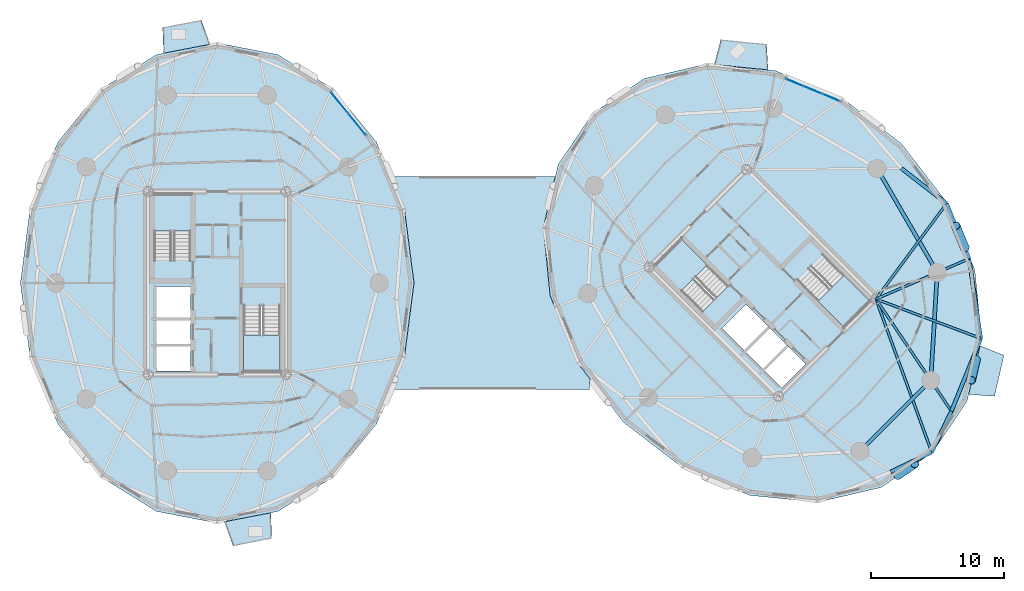
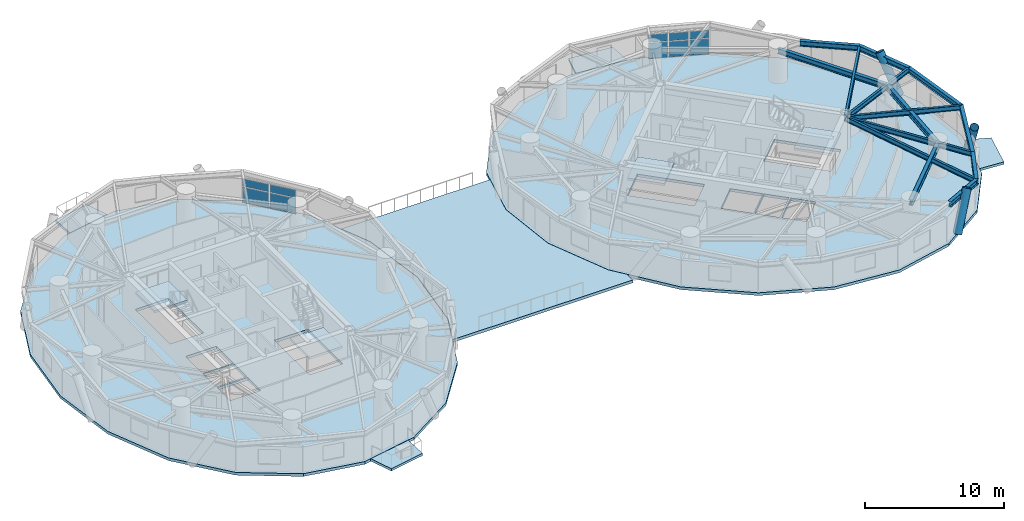
# One storey, part 8 of 19: 14 beams, 11 slabs, 10 plates, 3 members, 6 elements without a shape of their own.
"""IFC4 building model written with IfcOpenShell, lengths in metres."""

import ifcopenshell
import ifcopenshell.guid

model = None  # the IFC model being written
_history = None  # IfcOwnerHistory: only IFC2X3 demands one
_inside = {}  # id of a spatial element -> (the spatial element, [elements in it])
_under = {}  # id of a project, library or spatial element -> (it, [spatial elements below it])
_declared = {}  # id of a project -> (the project, [libraries it declares])
_typed = {}  # id of a type object -> (the type object, [elements of that type])
_made_of = {}  # id of a material, layer set ... -> (it, [elements and type objects made of it])


def new_model(schema):
    """Start an empty IFC model of exactly this schema.

    Asked for "IFC4X3", IfcOpenShell would pick the latest addendum, in which some entities
    have other attributes; the version numbers below select the first issue.
    IFC2X3 requires an IfcOwnerHistory on every rooted entity: one is made here for all.
    """
    global model, _history
    if schema == "IFC4X3":
        model = ifcopenshell.file(schema_version=(4, 3, 0, 0))
    else:
        model = ifcopenshell.file(schema=schema)
    _inside.clear()
    _under.clear()
    _declared.clear()
    _typed.clear()
    _made_of.clear()
    _history = None
    if model.schema == "IFC2X3":
        org = make("IfcOrganization", Name="unknown")
        user = make(
            "IfcPersonAndOrganization",
            ThePerson=make("IfcPerson", FamilyName="unknown"),
            TheOrganization=org,
        )
        app = make(
            "IfcApplication",
            ApplicationDeveloper=org,
            Version="unknown",
            ApplicationFullName="unknown",
            ApplicationIdentifier="unknown",
        )
        _history = make(
            "IfcOwnerHistory",
            OwningUser=user,
            OwningApplication=app,
            ChangeAction="ADDED",
            CreationDate=0,
        )
    return model


def make(cls, **values):
    """One entity of the class cls with the attributes given. An attribute that is None is left unset."""
    return model.create_entity(
        cls, **{name: value for name, value in values.items() if value is not None}
    )


def rooted(cls, **values):
    """An entity with a GlobalId (a new one), such as an element, a storey or a relation."""
    return make(cls, GlobalId=ifcopenshell.guid.new(), OwnerHistory=_history, **values)


def si_unit(unit_type, name, prefix=None):
    """IfcSIUnit, for example si_unit("LENGTHUNIT", "METRE", prefix="MILLI")."""
    return make("IfcSIUnit", UnitType=unit_type, Prefix=prefix, Name=name)


def assignment(units):
    """IfcUnitAssignment: the units of a project."""
    return None if units is None else make("IfcUnitAssignment", Units=units)


def point(xyz):
    """IfcCartesianPoint."""
    return None if xyz is None else make("IfcCartesianPoint", Coordinates=xyz)


def direction(xyz):
    """IfcDirection."""
    return None if xyz is None else make("IfcDirection", DirectionRatios=xyz)


def frame(location, z_axis=None, x_axis=None):
    """IfcAxis2Placement3D, a coordinate frame: its origin and axes. An axis left out is left unset."""
    return make(
        "IfcAxis2Placement3D",
        Location=point(location),
        Axis=direction(z_axis),
        RefDirection=direction(x_axis),
    )


def frame_2d(location, x_axis=None):
    """IfcAxis2Placement2D, a coordinate frame in the plane: its origin and x axis."""
    return make(
        "IfcAxis2Placement2D", Location=point(location), RefDirection=direction(x_axis)
    )


def origin():
    """The frame at (0, 0, 0) with its axes left unset."""
    return frame((0.0, 0.0, 0.0))


def origin_2d():
    """The frame at (0, 0) in the plane with its x axis left unset."""
    return frame_2d((0.0, 0.0))


def place(relative_to, where):
    """IfcLocalPlacement: puts the frame where relative to a parent placement (None: the world)."""
    return make(
        "IfcLocalPlacement", PlacementRelTo=relative_to, RelativePlacement=where
    )


def context(
    kind, dimensions, precision=None, world=None, true_north=None, identifier=None
):
    """IfcGeometricRepresentationContext, for example the 3D "Model" context."""
    return make(
        "IfcGeometricRepresentationContext",
        ContextIdentifier=identifier,
        ContextType=kind,
        CoordinateSpaceDimension=dimensions,
        Precision=precision,
        WorldCoordinateSystem=world,
        TrueNorth=true_north,
    )


def subcontext(parent, identifier, kind, view, scale=None):
    """IfcGeometricRepresentationSubContext, for example "Body" below "Model"."""
    return make(
        "IfcGeometricRepresentationSubContext",
        ContextIdentifier=identifier,
        ContextType=kind,
        ParentContext=parent,
        TargetScale=scale,
        TargetView=view,
    )


def project(units=None, contexts=None):
    """IfcProject with its units and contexts."""
    return rooted(
        "IfcProject",
        Name="project",
        RepresentationContexts=contexts,
        UnitsInContext=assignment(units),
    )


def spatial(cls, under=None, at=None, **own):
    """A site, building, storey or space (cls), placed at a placement, below another one or the project."""
    s = rooted(cls, ObjectPlacement=at, **own)
    if under is not None:
        _under.setdefault(under.id(), (under, []))[1].append(s)
    return s


def polyline(points):
    """IfcPolyline through the points."""
    return make("IfcPolyline", Points=[point(p) for p in points])


def profile(cls, at=None, kind="AREA", **sizes):
    """A parametric profile (cls). Its sizes go by their IFC names, for example OverallWidth=200.0."""
    return make(cls, ProfileType=kind, Position=at, **sizes)


def rectangle(**sizes):
    """IfcRectangleProfileDef."""
    return profile("IfcRectangleProfileDef", **sizes)


def hollow_circle(**sizes):
    """IfcCircleHollowProfileDef."""
    return profile("IfcCircleHollowProfileDef", **sizes)


def i_section(**sizes):
    """IfcIShapeProfileDef."""
    return profile("IfcIShapeProfileDef", **sizes)


def outline(outer, holes=None, kind="AREA"):
    """IfcArbitraryClosedProfileDef: a profile drawn as a closed curve; with holes, ...WithVoids."""
    if holes is None:
        return make("IfcArbitraryClosedProfileDef", ProfileType=kind, OuterCurve=outer)
    return make(
        "IfcArbitraryProfileDefWithVoids",
        ProfileType=kind,
        OuterCurve=outer,
        InnerCurves=holes,
    )


def extrude(swept, where, along, depth):
    """IfcExtrudedAreaSolid: the profile swept, set in the frame where, extruded along a direction by depth."""
    return make(
        "IfcExtrudedAreaSolid",
        SweptArea=swept,
        Position=where,
        ExtrudedDirection=direction(along),
        Depth=depth,
    )


def shape(context_of_items, identifier, shape_type, items):
    """IfcShapeRepresentation: the items that make up one representation, for example the "Body"."""
    return make(
        "IfcShapeRepresentation",
        ContextOfItems=context_of_items,
        RepresentationIdentifier=identifier,
        RepresentationType=shape_type,
        Items=items,
    )


def source(mapping_origin, context_of_items, identifier, shape_type, items):
    """IfcRepresentationMap: a shape defined once, which mapped items show again and again."""
    return make(
        "IfcRepresentationMap",
        MappingOrigin=mapping_origin,
        MappedRepresentation=shape(context_of_items, identifier, shape_type, items),
    )


def transform(
    local_origin,
    x_axis=None,
    y_axis=None,
    z_axis=None,
    scale=None,
    scale2=None,
    scale3=None,
    uniform=True,
):
    """IfcCartesianTransformationOperator3D, or its non-uniform kind. x_axis, y_axis, z_axis: its Axis1, 2, 3."""
    if uniform:
        return make(
            "IfcCartesianTransformationOperator3D",
            Axis1=direction(x_axis),
            Axis2=direction(y_axis),
            LocalOrigin=point(local_origin),
            Scale=scale,
            Axis3=direction(z_axis),
        )
    return make(
        "IfcCartesianTransformationOperator3DnonUniform",
        Axis1=direction(x_axis),
        Axis2=direction(y_axis),
        LocalOrigin=point(local_origin),
        Scale=scale,
        Axis3=direction(z_axis),
        Scale2=scale2,
        Scale3=scale3,
    )


def mapped(mapping_source, mapping_target):
    """IfcMappedItem: shows the shape of a source again, moved by a transform."""
    return make(
        "IfcMappedItem", MappingSource=mapping_source, MappingTarget=mapping_target
    )


def material(Name=None, Category=None):
    """IfcMaterial."""
    return make("IfcMaterial", Name=Name, Category=Category)


def layer(
    of_material, thickness, ventilated=None, Name=None, Category=None, Priority=None
):
    """IfcMaterialLayer: one layer of a wall or slab, of a material (None: an air gap)."""
    return make(
        "IfcMaterialLayer",
        Material=of_material,
        LayerThickness=thickness,
        IsVentilated=ventilated,
        Name=Name,
        Category=Category,
        Priority=Priority,
    )


def layer_set(layers, Name=None):
    """IfcMaterialLayerSet."""
    return make("IfcMaterialLayerSet", MaterialLayers=layers, LayerSetName=Name)


def material_profile(
    of_material, cross_section, Name=None, Category=None, Priority=None
):
    """IfcMaterialProfile: a cross section and its material."""
    return make(
        "IfcMaterialProfile",
        Name=Name,
        Material=of_material,
        Profile=cross_section,
        Priority=Priority,
        Category=Category,
    )


def profile_set(profiles, Name=None, composite=None):
    """IfcMaterialProfileSet."""
    return make(
        "IfcMaterialProfileSet",
        Name=Name,
        MaterialProfiles=profiles,
        CompositeProfile=composite,
    )


def made_of(thing, what):
    """Note that an element or type object is made of a material, layer set ...; save() writes the relation."""
    if what is not None:
        _made_of.setdefault(what.id(), (what, []))[1].append(thing)
    return thing


def type_object(cls, material=None, **own):
    """A type object (cls), such as IfcWallType, which elements share."""
    return made_of(rooted(cls, **own), material)


def element(
    cls,
    number,
    at=None,
    inside=None,
    cuts=None,
    type_object=None,
    material=None,
    context=None,
    identifier="Body",
    shape_type=None,
    held_by="IfcProductDefinitionShape",
    body=None,
    shapes=None,
    **own,
):
    """One element of the class cls, such as IfcWall. Its Tag is "e" and its number.

    at: its placement. inside: the storey or other place that contains it. cuts: it is an
    opening in that element (IfcRelVoidsElement). A single representation is given by context,
    identifier, shape_type and body (its items); several are given by shapes. held_by: the class
    of the entity that holds the representations. save() writes the other relations.
    """
    e = rooted(cls, Tag="e%d" % number, ObjectPlacement=at, **own)
    if body is not None:
        shapes = [shape(context, identifier, shape_type, body)]
    if shapes is not None:
        e.Representation = make(held_by, Representations=shapes)
    if inside is not None:
        _inside.setdefault(inside.id(), (inside, []))[1].append(e)
    if cuts is not None:
        rooted(
            "IfcRelVoidsElement", RelatingBuildingElement=cuts, RelatedOpeningElement=e
        )
    if type_object is not None:
        _typed.setdefault(type_object.id(), (type_object, []))[1].append(e)
    return made_of(e, material)


def aggregate(whole, parts):
    """IfcRelAggregates: a whole, such as a stair, and the parts it consists of."""
    return rooted("IfcRelAggregates", RelatingObject=whole, RelatedObjects=parts)


def save(model, path):
    """Write the relations noted so far, then the file.

    IfcRelAggregates (storeys below a building ...), IfcRelContainedInSpatialStructure (elements
    in a storey), IfcRelDefinesByType, IfcRelAssociatesMaterial and IfcRelDeclares: one each for
    every whole, place, type object, material and project.
    """
    for whole, parts in _under.values():
        aggregate(whole, parts)
    for where, things in _inside.values():
        rooted(
            "IfcRelContainedInSpatialStructure",
            RelatedElements=things,
            RelatingStructure=where,
        )
    for kind, things in _typed.values():
        rooted("IfcRelDefinesByType", RelatedObjects=things, RelatingType=kind)
    for what, things in _made_of.values():
        rooted("IfcRelAssociatesMaterial", RelatedObjects=things, RelatingMaterial=what)
    for by, libraries in _declared.values():
        rooted("IfcRelDeclares", RelatingContext=by, RelatedDefinitions=libraries)
    model.write(path)


model = new_model("IFC4")

# Units and contexts
model_context = context("Model", 3, precision=1e-05, world=origin(), true_north=direction((0.0, 1.0)))
body_context = subcontext(model_context, "Body", "Model", "MODEL_VIEW")
ifc_project = project(units=[si_unit("LENGTHUNIT", "METRE"), si_unit("AREAUNIT", "SQUARE_METRE"), si_unit("VOLUMEUNIT", "CUBIC_METRE"), si_unit("PLANEANGLEUNIT", "RADIAN"), si_unit("MASSUNIT", "GRAM", prefix="KILO")], contexts=[model_context])

# Site, building, storey
site_placement = place(None, origin())
site = spatial("IfcSite", under=ifc_project, at=site_placement, CompositionType="ELEMENT")
building_placement = place(site_placement, origin())
building = spatial("IfcBuilding", under=site, at=building_placement, Name="Cununo Teusaquillo Station Towers", CompositionType="ELEMENT")
storey_placement = place(building_placement, frame((0.0, 0.0, 144.0400390625)))
storey = spatial("IfcBuildingStorey", under=building, at=storey_placement, Name="L45", CompositionType="ELEMENT", Elevation=144.0400390625)

# Beams
ifc_material_1 = material(Name="Steel ASTM A572 Grade 50", Category="steel")
ifc_material_profile_1 = material_profile(ifc_material_1, i_section(OverallWidth=0.180908203125, OverallDepth=0.4169921875, WebThickness=0.010986328125, FlangeThickness=0.018310546875, FilletRadius=0.012939453125, at=origin_2d()), Name="W16X57")
ifc_profile_set_1 = profile_set([ifc_material_profile_1], Name="Steel ASTM A572 Grade 50")
beam_type_1 = type_object("IfcBeamType", Name="BM-JOIST-1", PredefinedType="JOIST", material=ifc_profile_set_1)
beam_1_placement = place(storey_placement, frame((66.024169921875, 23.29443359375, 2.511474609375), z_axis=(0.34241791496, -0.939547748395, 0.0), x_axis=(0.939547748395, 0.34241791496, 0.0)))
element("IfcBeam", 1, at=beam_1_placement, inside=storey, type_object=beam_type_1, Name="L45 Tower B Radial Spandrel Joist V15", PredefinedType="JOIST", context=body_context, shape_type="SweptSolid", body=[
    extrude(i_section(OverallWidth=0.180908203125, OverallDepth=0.4169921875, WebThickness=0.010986328125, FlangeThickness=0.018310546875, FilletRadius=0.012939453125, at=origin_2d()), origin(), (0.0, 0.0, 1.0), 12.25634765625),
])
beam_2_placement = place(storey_placement, frame((66.024169921875, 23.29443359375, 2.511474609375), z_axis=(0.936244635323, -0.351348805076, 0.0), x_axis=(0.351348805076, 0.936244635323, 0.0)))
element("IfcBeam", 2, at=beam_2_placement, inside=storey, type_object=beam_type_1, Name="L45 Tower B Radial Spandrel Joist V17", PredefinedType="JOIST", context=body_context, shape_type="SweptSolid", body=[
    extrude(i_section(OverallWidth=0.180908203125, OverallDepth=0.4169921875, WebThickness=0.010986328125, FlangeThickness=0.018310546875, FilletRadius=0.012939453125, at=origin_2d()), origin(), (0.0, 0.0, 1.0), 8.4287109375),
])
beam_3_placement = place(storey_placement, frame((66.024169921875, 23.29443359375, 2.511474609375), z_axis=(0.594834179272, 0.803848430471, 0.0), x_axis=(-0.803848430471, 0.594834179272, 0.0)))
element("IfcBeam", 3, at=beam_3_placement, inside=storey, type_object=beam_type_1, Name="L45 Tower B Radial Spandrel Joist V19", PredefinedType="JOIST", context=body_context, shape_type="SweptSolid", body=[
    extrude(i_section(OverallWidth=0.180908203125, OverallDepth=0.4169921875, WebThickness=0.010986328125, FlangeThickness=0.018310546875, FilletRadius=0.012939453125, at=origin_2d()), origin(), (0.0, 0.0, 1.0), 8.936767578125),
])
ifc_material_2 = material(Name="Steel ASTM A572 Grade 50", Category="steel")
ifc_material_profile_2 = material_profile(ifc_material_2, i_section(OverallWidth=0.180908203125, OverallDepth=0.4169921875, WebThickness=0.010986328125, FlangeThickness=0.018310546875, FilletRadius=0.012939453125, at=origin_2d()), Name="W16X57")
ifc_profile_set_2 = profile_set([ifc_material_profile_2], Name="Steel ASTM A572 Grade 50")
beam_type_2 = type_object("IfcBeamType", Name="BM-RAD-G2", PredefinedType="BEAM", material=ifc_profile_set_2)
beam_4_placement = place(storey_placement, frame((66.024169921875, 23.29443359375, 2.511474609375), z_axis=(0.558570687133, -0.829456923219, 0.0), x_axis=(0.829456923219, 0.558570687133, 0.0)))
element("IfcBeam", 4, at=beam_4_placement, inside=storey, type_object=beam_type_2, Name="L45 Tower B Continuous Overhanging Radial Girder 09", PredefinedType="BEAM", context=body_context, shape_type="SweptSolid", body=[
    extrude(i_section(OverallWidth=0.180908203125, OverallDepth=0.4169921875, WebThickness=0.010986328125, FlangeThickness=0.018310546875, FilletRadius=0.012939453125, at=origin_2d()), origin(), (0.0, 0.0, 1.0), 10.1591796875),
])
beam_5_placement = place(storey_placement, frame((66.024169921875, 23.29443359375, 2.511474609375), z_axis=(0.917655964072, 0.397375806515, 0.0), x_axis=(-0.397375806515, 0.917655964072, 0.0)))
element("IfcBeam", 5, at=beam_5_placement, inside=storey, type_object=beam_type_2, Name="L45 Tower B Continuous Overhanging Radial Girder 10", PredefinedType="BEAM", context=body_context, shape_type="SweptSolid", body=[
    extrude(i_section(OverallWidth=0.180908203125, OverallDepth=0.4169921875, WebThickness=0.010986328125, FlangeThickness=0.018310546875, FilletRadius=0.012939453125, at=origin_2d()), origin(), (0.0, 0.0, 1.0), 7.6318359375),
])
ifc_material_3 = material(Name="Steel ASTM A572 Grade 50", Category="steel")
ifc_material_profile_3 = material_profile(ifc_material_3, i_section(OverallWidth=0.280029296875, OverallDepth=0.462890625, WebThickness=0.0107421875, FlangeThickness=0.017333984375, FilletRadius=0.013916015625, at=origin_2d()), Name="W18X76")
ifc_profile_set_3 = profile_set([ifc_material_profile_3], Name="Steel ASTM A572 Grade 50")
beam_type_3 = type_object("IfcBeamType", Name="BM-RING-Z2", PredefinedType="SPANDREL", material=ifc_profile_set_3)
beam_6_placement = place(storey_placement, frame((64.826904296875, 11.853759765625, 2.488525390625), z_axis=(0.707106781187, 0.707106781187, 0.0), x_axis=(-0.707106781187, 0.707106781187, 0.0)))
element("IfcBeam", 6, at=beam_6_placement, inside=storey, type_object=beam_type_3, Name="L45 Tower B Structural Column Ring Girder 08", PredefinedType="SPANDREL", context=body_context, shape_type="SweptSolid", body=[
    extrude(i_section(OverallWidth=0.280029296875, OverallDepth=0.462890625, WebThickness=0.0107421875, FlangeThickness=0.017333984375, FilletRadius=0.013916015625, at=origin_2d()), origin(), (0.0, 0.0, 1.0), 7.522705078125),
])
beam_7_placement = place(storey_placement, frame((70.146240234375, 17.173095703125, 2.488525390625), z_axis=(0.06012979176, 0.998190567048, 0.0), x_axis=(-0.998190567048, 0.06012979176, 0.0)))
element("IfcBeam", 7, at=beam_7_placement, inside=storey, type_object=beam_type_3, Name="L45 Tower B Structural Column Ring Girder 09", PredefinedType="SPANDREL", context=body_context, shape_type="SweptSolid", body=[
    extrude(i_section(OverallWidth=0.280029296875, OverallDepth=0.462890625, WebThickness=0.0107421875, FlangeThickness=0.017333984375, FilletRadius=0.013916015625, at=origin_2d()), origin(), (0.0, 0.0, 1.0), 8.132568359375),
])
beam_8_placement = place(storey_placement, frame((70.63525390625, 25.291015625, 2.488525390625), z_axis=(-0.501311121078, 0.865267103202, 0.0), x_axis=(-0.865267103202, -0.501311121078, 0.0)))
element("IfcBeam", 8, at=beam_8_placement, inside=storey, type_object=beam_type_3, Name="L45 Tower B Structural Column Ring Girder 10", PredefinedType="SPANDREL", context=body_context, shape_type="SweptSolid", body=[
    extrude(i_section(OverallWidth=0.280029296875, OverallDepth=0.462890625, WebThickness=0.0107421875, FlangeThickness=0.017333984375, FilletRadius=0.013916015625, at=origin_2d()), origin(), (0.0, 0.0, 1.0), 9.032958984375),
])
for number, where, z_axis, x_axis, name in (
    (9, (67.132080078125, 10.30126953125, 2.488525390625), (0.902077503555, 0.431574069634, 0.0), (-0.431574069634, 0.902077503555, 0.0), "L45 Tower B Spandrel Ring Beam 15"),
    (10, (70.220947265625, 11.779052734375, 2.488525390625), (0.431574069634, 0.902077503555, 0.0), (-0.902077503555, 0.431574069634, 0.0), "L45 Tower B Spandrel Ring Beam 16"),
):
    element("IfcBeam", number, at=place(storey_placement, frame(where, z_axis=z_axis, x_axis=x_axis)), inside=storey, type_object=beam_type_3, Name=name, PredefinedType="SPANDREL", context=body_context, shape_type="SweptSolid", body=[
        extrude(i_section(OverallWidth=0.280029296875, OverallDepth=0.462890625, WebThickness=0.0107421875, FlangeThickness=0.017333984375, FilletRadius=0.013916015625, at=origin_2d()), origin(), (0.0, 0.0, 1.0), 3.424072265625),
    ])
beam_9_placement = place(storey_placement, frame((71.69873046875, 14.867919921875, 2.488525390625), z_axis=(0.375882869104, 0.926667183359, 0.0), x_axis=(-0.926667183359, 0.375882869104, 0.0)))
element("IfcBeam", 11, at=beam_9_placement, inside=storey, type_object=beam_type_3, Name="L45 Tower B Spandrel Ring Beam 17", PredefinedType="SPANDREL", context=body_context, shape_type="SweptSolid", body=[
    extrude(i_section(OverallWidth=0.280029296875, OverallDepth=0.462890625, WebThickness=0.0107421875, FlangeThickness=0.017333984375, FilletRadius=0.013916015625, at=origin_2d()), origin(), (0.0, 0.0, 1.0), 5.8974609375),
])
beam_10_placement = place(storey_placement, frame((73.91552734375, 20.3330078125, 2.488525390625), z_axis=(-0.146535519435, 0.989205409176, 0.0), x_axis=(-0.989205409176, -0.146535519435, 0.0)))
element("IfcBeam", 12, at=beam_10_placement, inside=storey, type_object=beam_type_3, Name="L45 Tower B Spandrel Ring Beam 18", PredefinedType="SPANDREL", context=body_context, shape_type="SweptSolid", body=[
    extrude(i_section(OverallWidth=0.280029296875, OverallDepth=0.462890625, WebThickness=0.0107421875, FlangeThickness=0.017333984375, FilletRadius=0.013916015625, at=origin_2d()), origin(), (0.0, 0.0, 1.0), 6.0595703125),
])
beam_11_placement = place(storey_placement, frame((73.027587890625, 26.3271484375, 2.488525390625), z_axis=(-0.376588942192, 0.926380466449, 0.0), x_axis=(-0.926380466449, -0.376588942192, 0.0)))
element("IfcBeam", 13, at=beam_11_placement, inside=storey, type_object=beam_type_3, Name="L45 Tower B Spandrel Ring Beam 19", PredefinedType="SPANDREL", context=body_context, shape_type="SweptSolid", body=[
    extrude(i_section(OverallWidth=0.280029296875, OverallDepth=0.462890625, WebThickness=0.0107421875, FlangeThickness=0.017333984375, FilletRadius=0.013916015625, at=origin_2d()), origin(), (0.0, 0.0, 1.0), 4.48095703125),
])
beam_12_placement = place(storey_placement, frame((71.340087890625, 30.478271484375, 2.488525390625), z_axis=(-0.789900716386, 0.613234749711, 0.0), x_axis=(-0.613234749711, -0.789900716386, 0.0)))
element("IfcBeam", 14, at=beam_12_placement, inside=storey, type_object=beam_type_3, Name="L45 Tower B Spandrel Ring Beam 20", PredefinedType="SPANDREL", context=body_context, shape_type="SweptSolid", body=[
    extrude(i_section(OverallWidth=0.280029296875, OverallDepth=0.462890625, WebThickness=0.0107421875, FlangeThickness=0.017333984375, FilletRadius=0.013916015625, at=origin_2d()), origin(), (0.0, 0.0, 1.0), 4.3115234375),
])

# Members
ifc_material_4 = material(Name="Steel EN 10025-2 S355J2", Category="steel")
ifc_material_profile_4 = material_profile(ifc_material_4, hollow_circle(Radius=0.330078125, WallThickness=0.02490234375, at=origin_2d()), Name="CHS 660x25")
ifc_profile_set_4 = profile_set([ifc_material_profile_4], Name="Steel EN 10025-2 S355J2")
member_type = type_object("IfcMemberType", Name="MBR-DIAG-Z2", PredefinedType="BRACE", material=ifc_profile_set_4)
member_1_placement = place(storey_placement, frame((67.6591796875, 10.047607421875, -0.14013671875), z_axis=(0.373637702269, 0.25250987083, 0.892543350531), x_axis=(-0.559936520368, 0.828535511103, 0.0)))
element("IfcMember", 15, at=member_1_placement, inside=storey, type_object=member_type, Name="L45 Tower B Folded-Zigzag Diagrid Tube C14", PredefinedType="BRACE", context=body_context, shape_type="SweptSolid", body=[
    extrude(hollow_circle(Radius=0.330078125, WallThickness=0.02490234375, at=origin_2d()), origin(), (0.0, 0.0, 1.0), 3.428466796875),
])
member_2_placement = place(storey_placement, frame((73.5498046875, 18.762451171875, -0.14013671875), z_axis=(-0.105801959215, -0.454052037112, 0.884670951835), x_axis=(0.973909284725, -0.226937667931, 0.0)))
element("IfcMember", 16, at=member_2_placement, inside=storey, type_object=member_type, Name="L45 Tower B Folded-Zigzag Diagrid Tube C16", PredefinedType="BRACE", context=body_context, shape_type="SweptSolid", body=[
    extrude(hollow_circle(Radius=0.330078125, WallThickness=0.02490234375, at=origin_2d()), origin(), (0.0, 0.0, 1.0), 3.458984375),
])
member_3_placement = place(storey_placement, frame((72.7177734375, 27.127685546875, -0.14013671875), z_axis=(-0.193680285082, 0.471121629293, 0.860541897633), x_axis=(-0.924892888936, -0.380227752796, 0.0)))
element("IfcMember", 17, at=member_3_placement, inside=storey, type_object=member_type, Name="L45 Tower B Folded-Zigzag Diagrid Tube C18", PredefinedType="BRACE", context=body_context, shape_type="SweptSolid", body=[
    extrude(hollow_circle(Radius=0.330078125, WallThickness=0.02490234375, at=origin_2d()), origin(), (0.0, 0.0, 1.0), 3.555908203125),
])

# Slabs
ifc_material_5 = material(Name="Concrete C50/60", Category="concrete")
ifc_layer_1 = layer(ifc_material_5, 0.2099609375)
ifc_layer_set_1 = layer_set([ifc_layer_1], Name="Concrete C50/60")
slab_type_1 = type_object("IfcSlabType", Name="SLB-BAL-210", PredefinedType="FLOOR", material=ifc_layer_set_1)
slab_1_placement = place(storey_placement, frame((0.0, 0.0, -0.2099609375)))
element("IfcSlab", 18, at=slab_1_placement, inside=storey, type_object=slab_type_1, Name="L45 Tower A Tree Balcony Slab 1", PredefinedType="FLOOR", context=body_context, shape_type="SweptSolid", body=[
    extrude(outline(polyline([(15.958984375, 42.45068359375), (12.46728515625, 41.77587890625), (12.3984375, 43.712890625), (15.30126953125, 44.27392578125), (15.958984375, 42.45068359375)])), origin(), (0.0, 0.0, 1.0), 0.2099609375),
])
slab_2_placement = place(storey_placement, frame((0.0, 0.0, -0.2099609375)))
element("IfcSlab", 19, at=slab_2_placement, inside=storey, type_object=slab_type_1, Name="L45 Tower A Tree Balcony Slab 2", PredefinedType="FLOOR", context=body_context, shape_type="SweptSolid", body=[
    extrude(outline(polyline([(17.041015625, 6.54931640625), (20.53271484375, 7.22412109375), (20.6015625, 5.287109375), (17.69873046875, 4.72607421875), (17.041015625, 6.54931640625)])), origin(), (0.0, 0.0, 1.0), 0.2099609375),
])
slab_3_placement = place(storey_placement, frame((0.0, 0.0, -0.2099609375)))
element("IfcSlab", 20, at=slab_3_placement, inside=storey, type_object=slab_type_1, Name="L45 Tower B Tree Balcony Slab 1", PredefinedType="FLOOR", context=body_context, shape_type="SweptSolid", body=[
    extrude(outline(polyline([(57.914794921875, 40.52490234375), (53.871337890625, 40.92578125), (54.358642578125, 42.8017578125), (57.80517578125, 42.460205078125), (57.914794921875, 40.52490234375)])), origin(), (0.0, 0.0, 1.0), 0.2099609375),
])
slab_4_placement = place(storey_placement, frame((0.0, 0.0, -0.2099609375)))
element("IfcSlab", 21, at=slab_4_placement, inside=storey, type_object=slab_type_1, Name="L45 Tower B Tree Balcony Slab 2", PredefinedType="FLOOR", context=body_context, shape_type="SweptSolid", body=[
    extrude(outline(polyline([(73.001220703125, 16.128662109375), (73.854736328125, 19.78662109375), (75.651611328125, 19.059326171875), (74.934326171875, 15.985595703125), (73.001220703125, 16.128662109375)])), origin(), (0.0, 0.0, 1.0), 0.2099609375),
])

# Stair, slab
ifc_material_6 = material(Name="Concrete C50/60", Category="concrete")
stair_type = type_object("IfcStairType", Name="ST-TWR-1300", PredefinedType="HALF_TURN_STAIR", material=ifc_material_6)
stair_1_placement = place(storey_placement, origin())
stair_1 = element("IfcStair", 22, at=stair_1_placement, inside=storey, type_object=stair_type, Name="L45 Tower A Protected Core Exit Stair 1", PredefinedType="HALF_TURN_STAIR")
ifc_material_7 = material(Name="Concrete C50/60", Category="concrete")
ifc_layer_2 = layer(ifc_material_7, 0.199951171875)
ifc_layer_set_2 = layer_set([ifc_layer_2], Name="Concrete C50/60")
slab_type_2 = type_object("IfcSlabType", Name="SLB-STAIR-LND", PredefinedType="LANDING", material=ifc_layer_set_2)
slab_5_placement = place(storey_placement, frame((0.0, 0.0, 1.330078125)))
slab_5 = element("IfcSlab", 23, at=slab_5_placement, type_object=slab_type_2, Name="ST-T1-1 landing 1", PredefinedType="LANDING", context=body_context, shape_type="SweptSolid", body=[
    extrude(outline(polyline([(14.52001953125, 28.409912109375), (14.52001953125, 31.159912109375), (11.760009765625, 31.159912109375), (11.760009765625, 28.409912109375), (14.52001953125, 28.409912109375)])), origin(), (0.0, 0.0, 1.0), 0.199951171875),
])
aggregate(stair_1, [slab_5])

stair_2_placement = place(storey_placement, origin())
stair_2 = element("IfcStair", 24, at=stair_2_placement, inside=storey, type_object=stair_type, Name="L45 Tower A Protected Core Exit Stair 2", PredefinedType="HALF_TURN_STAIR")
slab_6_placement = place(storey_placement, frame((0.0, 0.0, 1.330078125)))
slab_6 = element("IfcSlab", 25, at=slab_6_placement, type_object=slab_type_2, Name="ST-T1-2 landing 1", PredefinedType="LANDING", context=body_context, shape_type="SweptSolid", body=[
    extrude(outline(polyline([(18.47998046875, 20.590087890625), (18.47998046875, 17.840087890625), (21.239990234375, 17.840087890625), (21.239990234375, 20.590087890625), (18.47998046875, 20.590087890625)])), origin(), (0.0, 0.0, 1.0), 0.199951171875),
])
aggregate(stair_2, [slab_6])

stair_3_placement = place(storey_placement, origin())
stair_3 = element("IfcStair", 26, at=stair_3_placement, inside=storey, type_object=stair_type, Name="L45 Tower B Protected Core Exit Stair 1", PredefinedType="HALF_TURN_STAIR")
slab_7_placement = place(storey_placement, frame((0.0, 0.0, 1.330078125)))
slab_7 = element("IfcSlab", 27, at=slab_7_placement, type_object=slab_type_2, Name="ST-T2-1 landing 1", PredefinedType="LANDING", context=body_context, shape_type="SweptSolid", body=[
    extrude(outline(polyline([(53.335205078125, 25.86474609375), (51.390625, 27.809326171875), (49.43896484375, 25.857666015625), (51.383544921875, 23.9130859375), (53.335205078125, 25.86474609375)])), origin(), (0.0, 0.0, 1.0), 0.199951171875),
])
aggregate(stair_3, [slab_7])

stair_4_placement = place(storey_placement, origin())
stair_4 = element("IfcStair", 28, at=stair_4_placement, inside=storey, type_object=stair_type, Name="L45 Tower B Protected Core Exit Stair 2", PredefinedType="HALF_TURN_STAIR")
slab_8_placement = place(storey_placement, frame((0.0, 0.0, 1.330078125)))
slab_8 = element("IfcSlab", 29, at=slab_8_placement, type_object=slab_type_2, Name="ST-T2-2 landing 1", PredefinedType="LANDING", context=body_context, shape_type="SweptSolid", body=[
    extrude(outline(polyline([(61.664794921875, 23.13525390625), (63.609375, 21.190673828125), (65.56103515625, 23.142333984375), (63.616455078125, 25.0869140625), (61.664794921875, 23.13525390625)])), origin(), (0.0, 0.0, 1.0), 0.199951171875),
])
aggregate(stair_4, [slab_8])

# Slabs
ifc_material_8 = material(Name="Concrete C50/60", Category="concrete")
ifc_layer_3 = layer(ifc_material_8, 0.25)
ifc_layer_set_3 = layer_set([ifc_layer_3], Name="Concrete C50/60")
slab_type_3 = type_object("IfcSlabType", Name="SLB-TERR-250", PredefinedType="ROOF", material=ifc_layer_set_3)
slab_9_placement = place(storey_placement, frame((0.0, 0.0, -0.25)))
element("IfcSlab", 30, at=slab_9_placement, inside=storey, type_object=slab_type_3, Name="L45 Mid-Bridge Observation Roof Terrace Slab", PredefinedType="ROOF", context=body_context, shape_type="SweptSolid", body=[
    extrude(outline(polyline([(44.5, 16.5), (29.564697265625, 16.5), (30.575439453125, 18.92041015625), (30.57568359375, 18.920654296875), (30.57568359375, 18.921142578125), (30.575927734375, 18.921630859375), (31.300048828125, 24.49951171875), (31.300048828125, 24.499755859375), (31.300048828125, 24.500244140625), (31.300048828125, 24.50048828125), (30.575927734375, 30.078369140625), (30.57568359375, 30.078857421875), (30.57568359375, 30.079345703125), (30.575439453125, 30.07958984375), (29.564697265625, 32.5), (41.912109375, 32.5), (41.02001953125, 28.677490234375), (41.02001953125, 28.677001953125), (41.02001953125, 28.676513671875), (41.02001953125, 28.676025390625), (41.529296875, 23.537841796875), (41.529296875, 23.537353515625), (41.529541015625, 23.537109375), (41.52978515625, 23.53662109375), (43.601806640625, 18.49267578125), (43.601806640625, 18.4921875), (43.60205078125, 18.49169921875), (43.602294921875, 18.491455078125), (44.5, 17.325927734375), (44.5, 16.5)])), origin(), (0.0, 0.0, 1.0), 0.25),
])
ifc_material_9 = material(Name="Concrete C40/50", Category="concrete")
ifc_layer_4 = layer(ifc_material_9, 0.239990234375)
ifc_layer_set_4 = layer_set([ifc_layer_4], Name="Concrete C40/50")
slab_type_4 = type_object("IfcSlabType", Name="SLB-Z2-240", PredefinedType="FLOOR", material=ifc_layer_set_4)
slab_10_placement = place(storey_placement, frame((0.0, 0.0, -0.239990234375)))
element("IfcSlab", 31, at=slab_10_placement, inside=storey, type_object=slab_type_4, Name="L45 Tower A Floor Slab", PredefinedType="FLOOR", context=body_context, shape_type="SweptSolid", body=[
    extrude(outline(polyline([(31.294921875, 24.5), (30.57080078125, 30.077880859375), (28.469482421875, 35.109619140625), (25.1962890625, 39.102783203125), (21.072021484375, 41.66650390625), (16.5, 42.550048828125), (11.927978515625, 41.66650390625), (7.8037109375, 39.102783203125), (4.530517578125, 35.109619140625), (2.42919921875, 30.077880859375), (1.705078125, 24.5), (2.42919921875, 18.922119140625), (4.530517578125, 13.890380859375), (7.8037109375, 9.897216796875), (11.927978515625, 7.33349609375), (16.5, 6.449951171875), (21.072021484375, 7.33349609375), (25.1962890625, 9.897216796875), (28.469482421875, 13.890380859375), (30.57080078125, 18.922119140625), (31.294921875, 24.5)]), holes=[polyline([(14.52001953125, 26.176025390625), (14.52001953125, 31.159912109375), (11.760009765625, 31.159912109375), (11.760009765625, 26.176025390625), (14.52001953125, 26.176025390625)]), polyline([(18.47998046875, 22.823974609375), (18.47998046875, 17.840087890625), (21.239990234375, 17.840087890625), (21.239990234375, 22.823974609375), (18.47998046875, 22.823974609375)]), polyline([(11.949951171875, 21.85009765625), (14.47998046875, 21.85009765625), (14.47998046875, 24.25), (11.949951171875, 24.25), (11.949951171875, 21.85009765625)]), polyline([(11.949951171875, 17.89990234375), (14.47998046875, 17.89990234375), (14.47998046875, 19.75), (11.949951171875, 19.75), (11.949951171875, 17.89990234375)]), polyline([(11.949951171875, 19.89990234375), (14.47998046875, 19.89990234375), (14.47998046875, 21.75), (11.949951171875, 21.75), (11.949951171875, 19.89990234375)])]), origin(), (0.0, 0.0, 1.0), 0.239990234375),
])
slab_11_placement = place(storey_placement, frame((0.0, 0.0, -0.239990234375)))
element("IfcSlab", 32, at=slab_11_placement, inside=storey, type_object=slab_type_4, Name="L45 Tower B Floor Slab", PredefinedType="FLOOR", context=body_context, shape_type="SweptSolid", body=[
    extrude(outline(polyline([(67.961669921875, 34.961669921875), (63.505615234375, 38.393798828125), (58.461669921875, 40.4658203125), (53.323486328125, 40.97509765625), (48.59423828125, 39.871337890625), (44.73681640625, 37.26318359375), (42.128662109375, 33.40576171875), (41.02490234375, 28.676513671875), (41.5341796875, 23.538330078125), (43.606201171875, 18.494384765625), (47.038330078125, 14.038330078125), (51.494384765625, 10.606201171875), (56.538330078125, 8.5341796875), (61.676513671875, 8.02490234375), (66.40576171875, 9.128662109375), (70.26318359375, 11.73681640625), (72.871337890625, 15.59423828125), (73.97509765625, 20.323486328125), (73.4658203125, 25.461669921875), (71.393798828125, 30.505615234375), (67.961669921875, 34.961669921875)]), holes=[polyline([(54.914794921875, 24.28515625), (51.390625, 27.809326171875), (49.43896484375, 25.857666015625), (52.963134765625, 22.33349609375), (54.914794921875, 24.28515625)]), polyline([(60.085205078125, 24.71484375), (63.609375, 21.190673828125), (65.56103515625, 23.142333984375), (62.036865234375, 26.66650390625), (60.085205078125, 24.71484375)]), polyline([(56.156494140625, 19.40869140625), (57.945556640625, 21.19775390625), (56.248291015625, 22.89501953125), (54.45947265625, 21.10595703125), (56.156494140625, 19.40869140625)]), polyline([(58.94970703125, 16.61572265625), (60.738525390625, 18.40478515625), (59.430419921875, 19.712890625), (57.641357421875, 17.923828125), (58.94970703125, 16.61572265625)]), polyline([(57.535400390625, 18.030029296875), (59.32421875, 19.819091796875), (58.01611328125, 21.127197265625), (56.227294921875, 19.338134765625), (57.535400390625, 18.030029296875)])]), origin(), (0.0, 0.0, 1.0), 0.239990234375),
])

# Curtain wall, plates
ifc_material_10 = material(Name="Ceramic-fritted dark low-E double glazing", Category="glass")
ifc_layer_5 = layer(ifc_material_10, 0.179931640625)
ifc_layer_set_5 = layer_set([ifc_layer_5], Name="Ceramic-fritted dark low-E double glazing")
curtain_wall_type = type_object("IfcCurtainWallType", Name="CW-SYS-04", PredefinedType="USERDEFINED", material=ifc_layer_set_5)
curtain_wall_1_placement = place(storey_placement, origin())
curtain_wall_1 = element("IfcCurtainWall", 33, at=curtain_wall_1_placement, inside=storey, type_object=curtain_wall_type, Name="L45 Tower A Facade Curtain Wall C02", ObjectType="FRITTED GLAZING", PredefinedType="USERDEFINED")
ifc_material_11 = material(Name="Ceramic-fritted dark low-E double glazing", Category="glass")
ifc_layer_6 = layer(ifc_material_11, 0.028076171875)
ifc_layer_set_6 = layer_set([ifc_layer_6], Name="Ceramic-fritted dark low-E double glazing")
plate_type = type_object("IfcPlateType", Name="CWP-FRIT-28", PredefinedType="CURTAIN_PANEL", material=ifc_layer_set_6)
shared_shape_1 = source(origin(), body_context, "Body", "SweptSolid", [
    extrude(rectangle(XDim=2.008056640625, YDim=0.028076171875, at=origin_2d()), origin(), (0.0, 0.0, 1.0), 1.343994140625),
])
plate_1_placement = place(storey_placement, frame((25.711181640625, 38.04443359375, 0.06982421875), z_axis=(0.0, 0.0, 1.0), x_axis=(0.632612640352, -0.774468364277, 0.0)))
plate_1 = element("IfcPlate", 34, at=plate_1_placement, type_object=plate_type, Name="CW-04 panel 1.1", PredefinedType="CURTAIN_PANEL", context=body_context, shape_type="MappedRepresentation", body=[
    mapped(shared_shape_1, transform((0.0, 0.0, 0.0), x_axis=(1.0, 0.0, 0.0), y_axis=(0.0, 1.0, 0.0), z_axis=(0.0, 0.0, 1.0), scale=1.0)),
])
plate_2_placement = place(storey_placement, frame((27.025634765625, 36.43505859375, 0.06982421875), z_axis=(0.0, 0.0, 1.0), x_axis=(0.632612640352, -0.774468364277, 0.0)))
plate_2 = element("IfcPlate", 35, at=plate_2_placement, type_object=plate_type, Name="CW-04 panel 2.1", PredefinedType="CURTAIN_PANEL", context=body_context, shape_type="MappedRepresentation", body=[
    mapped(shared_shape_1, transform((0.0, 0.0, 0.0), x_axis=(1.0, 0.0, 0.0), y_axis=(0.0, 1.0, 0.0), z_axis=(0.0, 0.0, 1.0), scale=1.0)),
])
shared_shape_2 = source(origin(), body_context, "Body", "SweptSolid", [
    extrude(rectangle(XDim=2.008056640625, YDim=0.028076171875, at=origin_2d()), origin(), (0.0, 0.0, 1.0), 0.675048828125),
])
plate_3_placement = place(storey_placement, frame((25.711181640625, 38.04443359375, 1.48388671875), z_axis=(0.0, 0.0, 1.0), x_axis=(0.632612640352, -0.774468364277, 0.0)))
plate_3 = element("IfcPlate", 36, at=plate_3_placement, type_object=plate_type, Name="CW-04 panel 1.2", PredefinedType="CURTAIN_PANEL", context=body_context, shape_type="MappedRepresentation", body=[
    mapped(shared_shape_2, transform((0.0, 0.0, 0.0), x_axis=(1.0, 0.0, 0.0), y_axis=(0.0, 1.0, 0.0), z_axis=(0.0, 0.0, 1.0), scale=1.0)),
])
plate_4_placement = place(storey_placement, frame((27.025634765625, 36.43505859375, 1.48388671875), z_axis=(0.0, 0.0, 1.0), x_axis=(0.632612640352, -0.774468364277, 0.0)))
plate_4 = element("IfcPlate", 37, at=plate_4_placement, type_object=plate_type, Name="CW-04 panel 2.2", PredefinedType="CURTAIN_PANEL", context=body_context, shape_type="MappedRepresentation", body=[
    mapped(shared_shape_2, transform((0.0, 0.0, 0.0), x_axis=(1.0, 0.0, 0.0), y_axis=(0.0, 1.0, 0.0), z_axis=(0.0, 0.0, 1.0), scale=1.0)),
])
aggregate(curtain_wall_1, [plate_1, plate_3, plate_2, plate_4])

curtain_wall_2_placement = place(storey_placement, origin())
curtain_wall_2 = element("IfcCurtainWall", 38, at=curtain_wall_2_placement, inside=storey, type_object=curtain_wall_type, Name="L45 Tower B Facade Curtain Wall C01", ObjectType="FRITTED GLAZING", PredefinedType="USERDEFINED")
shared_shape_3 = source(origin(), body_context, "Body", "SweptSolid", [
    extrude(rectangle(XDim=1.400146484375, YDim=0.028076171875, at=origin_2d()), origin(), (0.0, 0.0, 1.0), 1.343994140625),
])
plate_5_placement = place(storey_placement, frame((59.915771484375, 39.57177734375, 0.06982421875), z_axis=(0.0, 0.0, 1.0), x_axis=(0.924524840588, -0.381121790423, 0.0)))
plate_5 = element("IfcPlate", 39, at=plate_5_placement, type_object=plate_type, Name="CW-04 panel 1.1", PredefinedType="CURTAIN_PANEL", context=body_context, shape_type="MappedRepresentation", body=[
    mapped(shared_shape_3, transform((0.0, 0.0, 0.0), x_axis=(1.0, 0.0, 0.0), y_axis=(0.0, 1.0, 0.0), z_axis=(0.0, 0.0, 1.0), scale=1.0)),
])
plate_6_placement = place(storey_placement, frame((62.66650390625, 38.437744140625, 0.06982421875), z_axis=(0.0, 0.0, 1.0), x_axis=(0.924524840588, -0.381121790423, 0.0)))
plate_6 = element("IfcPlate", 40, at=plate_6_placement, type_object=plate_type, Name="CW-04 panel 3.1", PredefinedType="CURTAIN_PANEL", context=body_context, shape_type="MappedRepresentation", body=[
    mapped(shared_shape_3, transform((0.0, 0.0, 0.0), x_axis=(1.0, 0.0, 0.0), y_axis=(0.0, 1.0, 0.0), z_axis=(0.0, 0.0, 1.0), scale=1.0)),
])
shared_shape_4 = source(origin(), body_context, "Body", "SweptSolid", [
    extrude(rectangle(XDim=1.400146484375, YDim=0.028076171875, at=origin_2d()), origin(), (0.0, 0.0, 1.0), 0.675048828125),
])
plate_7_placement = place(storey_placement, frame((59.915771484375, 39.57177734375, 1.48388671875), z_axis=(0.0, 0.0, 1.0), x_axis=(0.924524840588, -0.381121790423, 0.0)))
plate_7 = element("IfcPlate", 41, at=plate_7_placement, type_object=plate_type, Name="CW-04 panel 1.2", PredefinedType="CURTAIN_PANEL", context=body_context, shape_type="MappedRepresentation", body=[
    mapped(shared_shape_4, transform((0.0, 0.0, 0.0), x_axis=(1.0, 0.0, 0.0), y_axis=(0.0, 1.0, 0.0), z_axis=(0.0, 0.0, 1.0), scale=1.0)),
])
plate_8_placement = place(storey_placement, frame((62.66650390625, 38.437744140625, 1.48388671875), z_axis=(0.0, 0.0, 1.0), x_axis=(0.924524840588, -0.381121790423, 0.0)))
plate_8 = element("IfcPlate", 42, at=plate_8_placement, type_object=plate_type, Name="CW-04 panel 3.2", PredefinedType="CURTAIN_PANEL", context=body_context, shape_type="MappedRepresentation", body=[
    mapped(shared_shape_4, transform((0.0, 0.0, 0.0), x_axis=(1.0, 0.0, 0.0), y_axis=(0.0, 1.0, 0.0), z_axis=(0.0, 0.0, 1.0), scale=1.0)),
])
shared_shape_5 = source(origin(), body_context, "Body", "SweptSolid", [
    extrude(rectangle(XDim=1.435302734375, YDim=0.028076171875, at=origin_2d()), origin(), (0.0, 0.0, 1.0), 1.343994140625),
])
plate_9_placement = place(storey_placement, frame((61.291015625, 39.004638671875, 0.06982421875), z_axis=(0.0, 0.0, 1.0), x_axis=(0.924524840588, -0.381121790423, 0.0)))
plate_9 = element("IfcPlate", 43, at=plate_9_placement, type_object=plate_type, Name="CW-04 panel 2.1", PredefinedType="CURTAIN_PANEL", context=body_context, shape_type="MappedRepresentation", body=[
    mapped(shared_shape_5, transform((0.0, 0.0, 0.0), x_axis=(1.0, 0.0, 0.0), y_axis=(0.0, 1.0, 0.0), z_axis=(0.0, 0.0, 1.0), scale=1.0)),
])
shared_shape_6 = source(origin(), body_context, "Body", "SweptSolid", [
    extrude(rectangle(XDim=1.435302734375, YDim=0.028076171875, at=origin_2d()), origin(), (0.0, 0.0, 1.0), 0.675048828125),
])
plate_10_placement = place(storey_placement, frame((61.291015625, 39.004638671875, 1.48388671875), z_axis=(0.0, 0.0, 1.0), x_axis=(0.924524840588, -0.381121790423, 0.0)))
plate_10 = element("IfcPlate", 44, at=plate_10_placement, type_object=plate_type, Name="CW-04 panel 2.2", PredefinedType="CURTAIN_PANEL", context=body_context, shape_type="MappedRepresentation", body=[
    mapped(shared_shape_6, transform((0.0, 0.0, 0.0), x_axis=(1.0, 0.0, 0.0), y_axis=(0.0, 1.0, 0.0), z_axis=(0.0, 0.0, 1.0), scale=1.0)),
])
aggregate(curtain_wall_2, [plate_5, plate_7, plate_9, plate_10, plate_6, plate_8])

save(model, "model.ifc")
